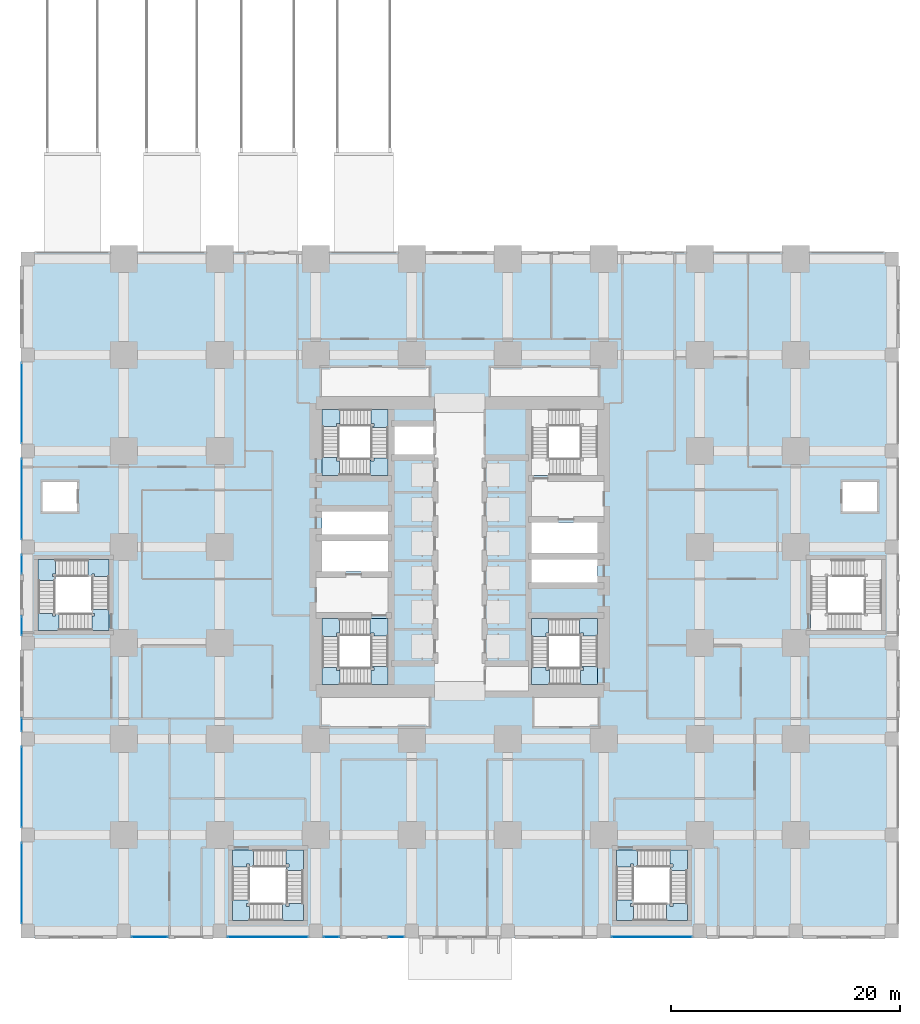
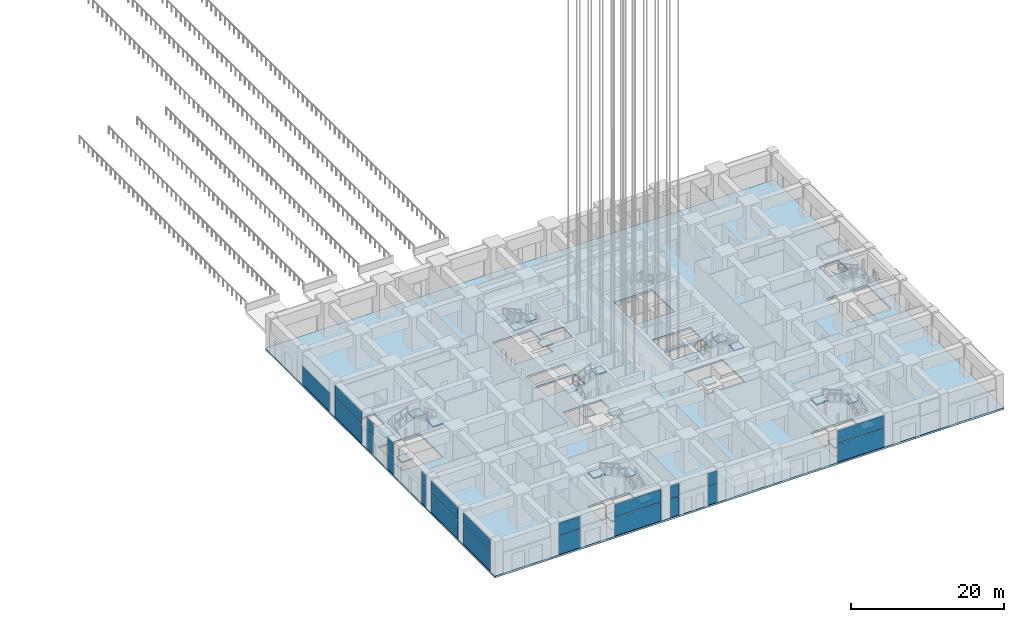
# One storey, part 34 of 81: 25 slabs, 23 plates, 18 elements without a shape of their own.
"""IFC4 building model written with IfcOpenShell, lengths in metres."""

from ifc_helpers import new_model, si_unit, direction, frame, origin, origin_2d, place, context, subcontext, project, spatial, polyline, rectangle, outline, extrude, material, layer, layer_set, type_object, element, aggregate, save


model = new_model("IFC4")

# Units and contexts
model_context = context("Model", 3, precision=1e-05, world=origin(), true_north=direction((0.0, 1.0)))
body_context = subcontext(model_context, "Body", "Model", "MODEL_VIEW")
ifc_project = project(units=[si_unit("LENGTHUNIT", "METRE"), si_unit("AREAUNIT", "SQUARE_METRE"), si_unit("VOLUMEUNIT", "CUBIC_METRE"), si_unit("PLANEANGLEUNIT", "RADIAN"), si_unit("MASSUNIT", "GRAM", prefix="KILO")], contexts=[model_context])

# Site, building, storey
site_placement = place(None, origin())
site = spatial("IfcSite", under=ifc_project, at=site_placement, CompositionType="ELEMENT")
building_placement = place(site_placement, origin())
building = spatial("IfcBuilding", under=site, at=building_placement, Name="Rekha Terrace Tower", CompositionType="ELEMENT")
storey_placement = place(building_placement, origin())
storey = spatial("IfcBuildingStorey", under=building, at=storey_placement, Name="L00", CompositionType="ELEMENT", Elevation=0.0)

# Curtain wall, plates
ifc_material_1 = material(Name="Aluminium framing", Category="aluminium")
curtain_wall_type = type_object("IfcCurtainWallType", Name="CW4 podium shopfront glazing", PredefinedType="USERDEFINED", material=ifc_material_1)
curtain_wall_1_placement = place(storey_placement, origin())
curtain_wall_1 = element("IfcCurtainWall", 1, at=curtain_wall_1_placement, inside=storey, type_object=curtain_wall_type, Name="CW4 shopfront curtain wall", ObjectType="SHOPFRONT CURTAIN WALL", PredefinedType="USERDEFINED")
ifc_material_2 = material(Name="Laminated double-glazed unit 30", Category="glass")
ifc_layer_1 = layer(ifc_material_2, 0.030029296875)
ifc_layer_set_1 = layer_set([ifc_layer_1], Name="Laminated double-glazed unit 30")
plate_type = type_object("IfcPlateType", Name="CW4 jumbo vision panel, laminated double-glazed unit 30", PredefinedType="CURTAIN_PANEL", material=ifc_layer_set_1)
plate_1_placement = place(storey_placement, frame((10.659912109375, -0.5400390625, 0.0), z_axis=(0.0, 0.0, 1.0), x_axis=(1.0, 0.0, 0.0)))
plate_1 = element("IfcPlate", 2, at=plate_1_placement, type_object=plate_type, Name="CW4 panel 1.1", PredefinedType="CURTAIN_PANEL", context=body_context, shape_type="SweptSolid", body=[
    extrude(rectangle(XDim=3.1298828125, YDim=0.030029296875, at=origin_2d()), origin(), (0.0, 0.0, 1.0), 2.96240234375),
])
plate_2_placement = place(storey_placement, frame((10.659912109375, -0.5400390625, 3.03759765625), z_axis=(0.0, 0.0, 1.0), x_axis=(1.0, 0.0, 0.0)))
plate_2 = element("IfcPlate", 3, at=plate_2_placement, type_object=plate_type, Name="CW4 panel 1.2", PredefinedType="CURTAIN_PANEL", context=body_context, shape_type="SweptSolid", body=[
    extrude(rectangle(XDim=3.1298828125, YDim=0.030029296875, at=origin_2d()), origin(), (0.0, 0.0, 1.0), 1.987548828125),
])
aggregate(curtain_wall_1, [plate_1, plate_2])

curtain_wall_2_placement = place(storey_placement, origin())
curtain_wall_2 = element("IfcCurtainWall", 4, at=curtain_wall_2_placement, inside=storey, type_object=curtain_wall_type, Name="CW4 shopfront curtain wall", ObjectType="SHOPFRONT CURTAIN WALL", PredefinedType="USERDEFINED")
plate_3_placement = place(storey_placement, frame((21.0, -0.5400390625, 0.0), z_axis=(0.0, 0.0, 1.0), x_axis=(1.0, 0.0, 0.0)))
plate_3 = element("IfcPlate", 5, at=plate_3_placement, type_object=plate_type, Name="CW4 panel 1.1", PredefinedType="CURTAIN_PANEL", context=body_context, shape_type="SweptSolid", body=[
    extrude(rectangle(XDim=7.010009765625, YDim=0.030029296875, at=origin_2d()), origin(), (0.0, 0.0, 1.0), 2.96240234375),
])
plate_4_placement = place(storey_placement, frame((21.0, -0.5400390625, 3.03759765625), z_axis=(0.0, 0.0, 1.0), x_axis=(1.0, 0.0, 0.0)))
plate_4 = element("IfcPlate", 6, at=plate_4_placement, type_object=plate_type, Name="CW4 panel 1.2", PredefinedType="CURTAIN_PANEL", context=body_context, shape_type="SweptSolid", body=[
    extrude(rectangle(XDim=7.010009765625, YDim=0.030029296875, at=origin_2d()), origin(), (0.0, 0.0, 1.0), 1.987548828125),
])
aggregate(curtain_wall_2, [plate_3, plate_4])

curtain_wall_3_placement = place(storey_placement, origin())
curtain_wall_3 = element("IfcCurtainWall", 7, at=curtain_wall_3_placement, inside=storey, type_object=curtain_wall_type, Name="CW4 shopfront curtain wall", ObjectType="SHOPFRONT CURTAIN WALL", PredefinedType="USERDEFINED")
plate_5_placement = place(storey_placement, frame((26.56005859375, -0.5400390625, 0.0), z_axis=(0.0, 0.0, 1.0), x_axis=(1.0, 0.0, 0.0)))
plate_5 = element("IfcPlate", 8, at=plate_5_placement, type_object=plate_type, Name="CW4 panel 1.1", PredefinedType="CURTAIN_PANEL", context=body_context, shape_type="SweptSolid", body=[
    extrude(rectangle(XDim=1.330078125, YDim=0.030029296875, at=origin_2d()), origin(), (0.0, 0.0, 1.0), 2.96240234375),
])
plate_6_placement = place(storey_placement, frame((26.56005859375, -0.5400390625, 3.03759765625), z_axis=(0.0, 0.0, 1.0), x_axis=(1.0, 0.0, 0.0)))
plate_6 = element("IfcPlate", 9, at=plate_6_placement, type_object=plate_type, Name="CW4 panel 1.2", PredefinedType="CURTAIN_PANEL", context=body_context, shape_type="SweptSolid", body=[
    extrude(rectangle(XDim=1.330078125, YDim=0.030029296875, at=origin_2d()), origin(), (0.0, 0.0, 1.0), 1.987548828125),
])
aggregate(curtain_wall_3, [plate_5, plate_6])

curtain_wall_4_placement = place(storey_placement, origin())
curtain_wall_4 = element("IfcCurtainWall", 10, at=curtain_wall_4_placement, inside=storey, type_object=curtain_wall_type, Name="CW4 shopfront curtain wall", ObjectType="SHOPFRONT CURTAIN WALL", PredefinedType="USERDEFINED")
plate_7_placement = place(storey_placement, frame((32.239990234375, -0.5400390625, 0.0), z_axis=(0.0, 0.0, 1.0), x_axis=(1.0, 0.0, 0.0)))
plate_7 = element("IfcPlate", 11, at=plate_7_placement, type_object=plate_type, Name="CW4 panel 1.1", PredefinedType="CURTAIN_PANEL", context=body_context, shape_type="SweptSolid", body=[
    extrude(rectangle(XDim=1.330078125, YDim=0.030029296875, at=origin_2d()), origin(), (0.0, 0.0, 1.0), 2.96240234375),
])
plate_8_placement = place(storey_placement, frame((32.239990234375, -0.5400390625, 3.03759765625), z_axis=(0.0, 0.0, 1.0), x_axis=(1.0, 0.0, 0.0)))
plate_8 = element("IfcPlate", 12, at=plate_8_placement, type_object=plate_type, Name="CW4 panel 1.2", PredefinedType="CURTAIN_PANEL", context=body_context, shape_type="SweptSolid", body=[
    extrude(rectangle(XDim=1.330078125, YDim=0.030029296875, at=origin_2d()), origin(), (0.0, 0.0, 1.0), 1.987548828125),
])
aggregate(curtain_wall_4, [plate_7, plate_8])

curtain_wall_5_placement = place(storey_placement, origin())
curtain_wall_5 = element("IfcCurtainWall", 13, at=curtain_wall_5_placement, inside=storey, type_object=curtain_wall_type, Name="CW4 shopfront curtain wall", ObjectType="SHOPFRONT CURTAIN WALL", PredefinedType="USERDEFINED")
plate_9_placement = place(storey_placement, frame((54.60009765625, -0.5400390625, 0.0), z_axis=(0.0, 0.0, 1.0), x_axis=(1.0, 0.0, 0.0)))
plate_9 = element("IfcPlate", 14, at=plate_9_placement, type_object=plate_type, Name="CW4 panel 1.1", PredefinedType="CURTAIN_PANEL", context=body_context, shape_type="SweptSolid", body=[
    extrude(rectangle(XDim=7.010009765625, YDim=0.030029296875, at=origin_2d()), origin(), (0.0, 0.0, 1.0), 2.96240234375),
])
plate_10_placement = place(storey_placement, frame((54.60009765625, -0.5400390625, 3.03759765625), z_axis=(0.0, 0.0, 1.0), x_axis=(1.0, 0.0, 0.0)))
plate_10 = element("IfcPlate", 15, at=plate_10_placement, type_object=plate_type, Name="CW4 panel 1.2", PredefinedType="CURTAIN_PANEL", context=body_context, shape_type="SweptSolid", body=[
    extrude(rectangle(XDim=7.010009765625, YDim=0.030029296875, at=origin_2d()), origin(), (0.0, 0.0, 1.0), 1.987548828125),
])
aggregate(curtain_wall_5, [plate_9, plate_10])

# Curtain wall, plate
curtain_wall_6_placement = place(storey_placement, origin())
curtain_wall_6 = element("IfcCurtainWall", 16, at=curtain_wall_6_placement, inside=storey, type_object=curtain_wall_type, Name="CW4 shopfront curtain wall", ObjectType="SHOPFRONT CURTAIN WALL", PredefinedType="USERDEFINED")
plate_11_placement = place(storey_placement, frame((-0.5400390625, 46.199951171875, 0.0), z_axis=(0.0, 0.0, 1.0), x_axis=(0.0, -1.0, 0.0)))
plate_11 = element("IfcPlate", 17, at=plate_11_placement, type_object=plate_type, Name="CW4 panel 1.1", PredefinedType="CURTAIN_PANEL", context=body_context, shape_type="SweptSolid", body=[
    extrude(rectangle(XDim=7.010009765625, YDim=0.030029296875, at=origin_2d()), origin(), (0.0, 0.0, 1.0), 2.96240234375),
])
aggregate(curtain_wall_6, [plate_11])

# Curtain wall, plates
curtain_wall_7_placement = place(storey_placement, origin())
curtain_wall_7 = element("IfcCurtainWall", 18, at=curtain_wall_7_placement, inside=storey, type_object=curtain_wall_type, Name="CW4 shopfront curtain wall", ObjectType="SHOPFRONT CURTAIN WALL", PredefinedType="USERDEFINED")
plate_12_placement = place(storey_placement, frame((-0.5400390625, 37.800048828125, 0.0), z_axis=(0.0, 0.0, 1.0), x_axis=(0.0, -1.0, 0.0)))
plate_12 = element("IfcPlate", 19, at=plate_12_placement, type_object=plate_type, Name="CW4 panel 1.1", PredefinedType="CURTAIN_PANEL", context=body_context, shape_type="SweptSolid", body=[
    extrude(rectangle(XDim=7.010009765625, YDim=0.030029296875, at=origin_2d()), origin(), (0.0, 0.0, 1.0), 2.96240234375),
])
plate_13_placement = place(storey_placement, frame((-0.5400390625, 37.800048828125, 3.03759765625), z_axis=(0.0, 0.0, 1.0), x_axis=(0.0, -1.0, 0.0)))
plate_13 = element("IfcPlate", 20, at=plate_13_placement, type_object=plate_type, Name="CW4 panel 1.2", PredefinedType="CURTAIN_PANEL", context=body_context, shape_type="SweptSolid", body=[
    extrude(rectangle(XDim=7.010009765625, YDim=0.030029296875, at=origin_2d()), origin(), (0.0, 0.0, 1.0), 1.987548828125),
])
aggregate(curtain_wall_7, [plate_12, plate_13])

curtain_wall_8_placement = place(storey_placement, origin())
curtain_wall_8 = element("IfcCurtainWall", 21, at=curtain_wall_8_placement, inside=storey, type_object=curtain_wall_type, Name="CW4 shopfront curtain wall", ObjectType="SHOPFRONT CURTAIN WALL", PredefinedType="USERDEFINED")
plate_14_placement = place(storey_placement, frame((-0.5400390625, 32.090087890625, 0.0), z_axis=(0.0, 0.0, 1.0), x_axis=(0.0, -1.0, 0.0)))
plate_14 = element("IfcPlate", 22, at=plate_14_placement, type_object=plate_type, Name="CW4 panel 1.1", PredefinedType="CURTAIN_PANEL", context=body_context, shape_type="SweptSolid", body=[
    extrude(rectangle(XDim=1.6298828125, YDim=0.030029296875, at=origin_2d()), origin(), (0.0, 0.0, 1.0), 2.96240234375),
])
plate_15_placement = place(storey_placement, frame((-0.5400390625, 32.090087890625, 3.03759765625), z_axis=(0.0, 0.0, 1.0), x_axis=(0.0, -1.0, 0.0)))
plate_15 = element("IfcPlate", 23, at=plate_15_placement, type_object=plate_type, Name="CW4 panel 1.2", PredefinedType="CURTAIN_PANEL", context=body_context, shape_type="SweptSolid", body=[
    extrude(rectangle(XDim=1.6298828125, YDim=0.030029296875, at=origin_2d()), origin(), (0.0, 0.0, 1.0), 1.987548828125),
])
aggregate(curtain_wall_8, [plate_14, plate_15])

curtain_wall_9_placement = place(storey_placement, origin())
curtain_wall_9 = element("IfcCurtainWall", 24, at=curtain_wall_9_placement, inside=storey, type_object=curtain_wall_type, Name="CW4 shopfront curtain wall", ObjectType="SHOPFRONT CURTAIN WALL", PredefinedType="USERDEFINED")
plate_16_placement = place(storey_placement, frame((-0.5400390625, 26.7099609375, 0.0), z_axis=(0.0, 0.0, 1.0), x_axis=(0.0, -1.0, 0.0)))
plate_16 = element("IfcPlate", 25, at=plate_16_placement, type_object=plate_type, Name="CW4 panel 1.1", PredefinedType="CURTAIN_PANEL", context=body_context, shape_type="SweptSolid", body=[
    extrude(rectangle(XDim=1.6298828125, YDim=0.030029296875, at=origin_2d()), origin(), (0.0, 0.0, 1.0), 2.96240234375),
])
plate_17_placement = place(storey_placement, frame((-0.5400390625, 26.7099609375, 3.03759765625), z_axis=(0.0, 0.0, 1.0), x_axis=(0.0, -1.0, 0.0)))
plate_17 = element("IfcPlate", 26, at=plate_17_placement, type_object=plate_type, Name="CW4 panel 1.2", PredefinedType="CURTAIN_PANEL", context=body_context, shape_type="SweptSolid", body=[
    extrude(rectangle(XDim=1.6298828125, YDim=0.030029296875, at=origin_2d()), origin(), (0.0, 0.0, 1.0), 1.987548828125),
])
aggregate(curtain_wall_9, [plate_16, plate_17])

curtain_wall_10_placement = place(storey_placement, origin())
curtain_wall_10 = element("IfcCurtainWall", 27, at=curtain_wall_10_placement, inside=storey, type_object=curtain_wall_type, Name="CW4 shopfront curtain wall", ObjectType="SHOPFRONT CURTAIN WALL", PredefinedType="USERDEFINED")
plate_18_placement = place(storey_placement, frame((-0.5400390625, 18.06005859375, 0.0), z_axis=(0.0, 0.0, 1.0), x_axis=(0.0, -1.0, 0.0)))
plate_18 = element("IfcPlate", 28, at=plate_18_placement, type_object=plate_type, Name="CW4 panel 1.1", PredefinedType="CURTAIN_PANEL", context=body_context, shape_type="SweptSolid", body=[
    extrude(rectangle(XDim=1.1298828125, YDim=0.030029296875, at=origin_2d()), origin(), (0.0, 0.0, 1.0), 2.96240234375),
])
plate_19_placement = place(storey_placement, frame((-0.5400390625, 18.06005859375, 3.03759765625), z_axis=(0.0, 0.0, 1.0), x_axis=(0.0, -1.0, 0.0)))
plate_19 = element("IfcPlate", 29, at=plate_19_placement, type_object=plate_type, Name="CW4 panel 1.2", PredefinedType="CURTAIN_PANEL", context=body_context, shape_type="SweptSolid", body=[
    extrude(rectangle(XDim=1.1298828125, YDim=0.030029296875, at=origin_2d()), origin(), (0.0, 0.0, 1.0), 1.987548828125),
])
aggregate(curtain_wall_10, [plate_18, plate_19])

curtain_wall_11_placement = place(storey_placement, origin())
curtain_wall_11 = element("IfcCurtainWall", 30, at=curtain_wall_11_placement, inside=storey, type_object=curtain_wall_type, Name="CW4 shopfront curtain wall", ObjectType="SHOPFRONT CURTAIN WALL", PredefinedType="USERDEFINED")
plate_20_placement = place(storey_placement, frame((-0.5400390625, 12.60009765625, 0.0), z_axis=(0.0, 0.0, 1.0), x_axis=(0.0, -1.0, 0.0)))
plate_20 = element("IfcPlate", 31, at=plate_20_placement, type_object=plate_type, Name="CW4 panel 1.1", PredefinedType="CURTAIN_PANEL", context=body_context, shape_type="SweptSolid", body=[
    extrude(rectangle(XDim=7.010009765625, YDim=0.030029296875, at=origin_2d()), origin(), (0.0, 0.0, 1.0), 2.96240234375),
])
plate_21_placement = place(storey_placement, frame((-0.5400390625, 12.60009765625, 3.03759765625), z_axis=(0.0, 0.0, 1.0), x_axis=(0.0, -1.0, 0.0)))
plate_21 = element("IfcPlate", 32, at=plate_21_placement, type_object=plate_type, Name="CW4 panel 1.2", PredefinedType="CURTAIN_PANEL", context=body_context, shape_type="SweptSolid", body=[
    extrude(rectangle(XDim=7.010009765625, YDim=0.030029296875, at=origin_2d()), origin(), (0.0, 0.0, 1.0), 1.987548828125),
])
aggregate(curtain_wall_11, [plate_20, plate_21])

curtain_wall_12_placement = place(storey_placement, origin())
curtain_wall_12 = element("IfcCurtainWall", 33, at=curtain_wall_12_placement, inside=storey, type_object=curtain_wall_type, Name="CW4 shopfront curtain wall", ObjectType="SHOPFRONT CURTAIN WALL", PredefinedType="USERDEFINED")
plate_22_placement = place(storey_placement, frame((-0.5400390625, 4.199951171875, 0.0), z_axis=(0.0, 0.0, 1.0), x_axis=(0.0, -1.0, 0.0)))
plate_22 = element("IfcPlate", 34, at=plate_22_placement, type_object=plate_type, Name="CW4 panel 1.1", PredefinedType="CURTAIN_PANEL", context=body_context, shape_type="SweptSolid", body=[
    extrude(rectangle(XDim=7.010009765625, YDim=0.030029296875, at=origin_2d()), origin(), (0.0, 0.0, 1.0), 2.96240234375),
])
plate_23_placement = place(storey_placement, frame((-0.5400390625, 4.199951171875, 3.03759765625), z_axis=(0.0, 0.0, 1.0), x_axis=(0.0, -1.0, 0.0)))
plate_23 = element("IfcPlate", 35, at=plate_23_placement, type_object=plate_type, Name="CW4 panel 1.2", PredefinedType="CURTAIN_PANEL", context=body_context, shape_type="SweptSolid", body=[
    extrude(rectangle(XDim=7.010009765625, YDim=0.030029296875, at=origin_2d()), origin(), (0.0, 0.0, 1.0), 1.987548828125),
])
aggregate(curtain_wall_12, [plate_22, plate_23])

# Stair, slabs
ifc_material_3 = material(Name="Concrete M40", Category="concrete")
stair_type_1 = type_object("IfcStairType", Name="ST40 stair, 40 risers of 135, going 320, 1500 wide flights, 4 flights", PredefinedType="QUARTER_TURN_STAIR", material=ifc_material_3)
stair_1_placement = place(storey_placement, origin())
stair_1 = element("IfcStair", 36, at=stair_1_placement, inside=storey, type_object=stair_type_1, Name="Stair SP1 L00 to L01", PredefinedType="QUARTER_TURN_STAIR")
ifc_layer_2 = layer(ifc_material_3, 0.199951171875)
ifc_layer_set_2 = layer_set([ifc_layer_2], Name="Concrete M40")
slab_type_1 = type_object("IfcSlabType", Name="LD1 200 concrete stair landing", PredefinedType="LANDING", material=ifc_layer_set_2)
slab_1_placement = place(storey_placement, frame((0.0, 0.0, 1.14990234375)))
slab_1 = element("IfcSlab", 37, at=slab_1_placement, type_object=slab_type_1, Name="SP1 landing 1", PredefinedType="LANDING", context=body_context, shape_type="SweptSolid", body=[
    extrude(outline(polyline([(0.89990234375, 27.800048828125), (0.89990234375, 26.300048828125), (2.719970703125, 26.300048828125), (2.719970703125, 27.800048828125), (2.39990234375, 27.800048828125), (2.39990234375, 27.550048828125), (2.14990234375, 27.550048828125), (2.14990234375, 27.800048828125), (0.89990234375, 27.800048828125)])), origin(), (0.0, 0.0, 1.0), 0.2001953125),
])
slab_2_placement = place(storey_placement, frame((0.0, 0.0, 2.5)))
slab_2 = element("IfcSlab", 38, at=slab_2_placement, type_object=slab_type_1, Name="SP1 landing 2", PredefinedType="LANDING", context=body_context, shape_type="SweptSolid", body=[
    extrude(outline(polyline([(2.39990234375, 32.5), (0.89990234375, 32.5), (0.89990234375, 30.679931640625), (2.39990234375, 30.679931640625), (2.39990234375, 31.0), (2.14990234375, 31.0), (2.14990234375, 31.25), (2.39990234375, 31.25), (2.39990234375, 32.5)])), origin(), (0.0, 0.0, 1.0), 0.199951171875),
])
slab_3_placement = place(storey_placement, frame((0.0, 0.0, 3.85009765625)))
slab_3 = element("IfcSlab", 39, at=slab_3_placement, type_object=slab_type_1, Name="SP1 landing 3", PredefinedType="LANDING", context=body_context, shape_type="SweptSolid", body=[
    extrude(outline(polyline([(7.10009765625, 31.0), (7.10009765625, 32.5), (5.280029296875, 32.5), (5.280029296875, 31.0), (5.60009765625, 31.0), (5.60009765625, 31.25), (5.85009765625, 31.25), (5.85009765625, 31.0), (7.10009765625, 31.0)])), origin(), (0.0, 0.0, 1.0), 0.199951171875),
])
slab_4_placement = place(storey_placement, frame((0.0, 0.0, 5.199951171875)))
slab_4 = element("IfcSlab", 40, at=slab_4_placement, type_object=slab_type_1, Name="SP1 landing 4", PredefinedType="LANDING", context=body_context, shape_type="SweptSolid", body=[
    extrude(outline(polyline([(5.60009765625, 26.300048828125), (7.10009765625, 26.300048828125), (7.10009765625, 28.1201171875), (5.60009765625, 28.1201171875), (5.60009765625, 27.800048828125), (5.85009765625, 27.800048828125), (5.85009765625, 27.550048828125), (5.60009765625, 27.550048828125), (5.60009765625, 26.300048828125)])), origin(), (0.0, 0.0, 1.0), 0.199951171875),
])
aggregate(stair_1, [slab_1, slab_2, slab_3, slab_4])

stair_2_placement = place(storey_placement, origin())
stair_2 = element("IfcStair", 41, at=stair_2_placement, inside=storey, type_object=stair_type_1, Name="Stair SP3 L00 to L01", PredefinedType="QUARTER_TURN_STAIR")
slab_5_placement = place(storey_placement, frame((0.0, 0.0, 1.14990234375)))
slab_5 = element("IfcSlab", 42, at=slab_5_placement, type_object=slab_type_1, Name="SP3 landing 1", PredefinedType="LANDING", context=body_context, shape_type="SweptSolid", body=[
    extrude(outline(polyline([(19.39990234375, 0.89990234375), (17.89990234375, 0.89990234375), (17.89990234375, 2.719970703125), (19.39990234375, 2.719970703125), (19.39990234375, 2.39990234375), (19.14990234375, 2.39990234375), (19.14990234375, 2.14990234375), (19.39990234375, 2.14990234375), (19.39990234375, 0.89990234375)])), origin(), (0.0, 0.0, 1.0), 0.2001953125),
])
slab_6_placement = place(storey_placement, frame((0.0, 0.0, 2.5)))
slab_6 = element("IfcSlab", 43, at=slab_6_placement, type_object=slab_type_1, Name="SP3 landing 2", PredefinedType="LANDING", context=body_context, shape_type="SweptSolid", body=[
    extrude(outline(polyline([(24.10009765625, 2.39990234375), (24.10009765625, 0.89990234375), (22.280029296875, 0.89990234375), (22.280029296875, 2.39990234375), (22.60009765625, 2.39990234375), (22.60009765625, 2.14990234375), (22.85009765625, 2.14990234375), (22.85009765625, 2.39990234375), (24.10009765625, 2.39990234375)])), origin(), (0.0, 0.0, 1.0), 0.199951171875),
])
slab_7_placement = place(storey_placement, frame((0.0, 0.0, 3.85009765625)))
slab_7 = element("IfcSlab", 44, at=slab_7_placement, type_object=slab_type_1, Name="SP3 landing 3", PredefinedType="LANDING", context=body_context, shape_type="SweptSolid", body=[
    extrude(outline(polyline([(22.60009765625, 7.10009765625), (24.10009765625, 7.10009765625), (24.10009765625, 5.280029296875), (22.60009765625, 5.280029296875), (22.60009765625, 5.60009765625), (22.85009765625, 5.60009765625), (22.85009765625, 5.85009765625), (22.60009765625, 5.85009765625), (22.60009765625, 7.10009765625)])), origin(), (0.0, 0.0, 1.0), 0.199951171875),
])
slab_8_placement = place(storey_placement, frame((0.0, 0.0, 5.199951171875)))
slab_8 = element("IfcSlab", 45, at=slab_8_placement, type_object=slab_type_1, Name="SP3 landing 4", PredefinedType="LANDING", context=body_context, shape_type="SweptSolid", body=[
    extrude(outline(polyline([(17.89990234375, 5.60009765625), (17.89990234375, 7.10009765625), (19.719970703125, 7.10009765625), (19.719970703125, 5.60009765625), (19.39990234375, 5.60009765625), (19.39990234375, 5.85009765625), (19.14990234375, 5.85009765625), (19.14990234375, 5.60009765625), (17.89990234375, 5.60009765625)])), origin(), (0.0, 0.0, 1.0), 0.199951171875),
])
aggregate(stair_2, [slab_5, slab_6, slab_7, slab_8])

stair_3_placement = place(storey_placement, origin())
stair_3 = element("IfcStair", 46, at=stair_3_placement, inside=storey, type_object=stair_type_1, Name="Stair SP4 L00 to L01", PredefinedType="QUARTER_TURN_STAIR")
slab_9_placement = place(storey_placement, frame((0.0, 0.0, 1.14990234375)))
slab_9 = element("IfcSlab", 47, at=slab_9_placement, type_object=slab_type_1, Name="SP4 landing 1", PredefinedType="LANDING", context=body_context, shape_type="SweptSolid", body=[
    extrude(outline(polyline([(53.0, 0.89990234375), (51.5, 0.89990234375), (51.5, 2.719970703125), (53.0, 2.719970703125), (53.0, 2.39990234375), (52.75, 2.39990234375), (52.75, 2.14990234375), (53.0, 2.14990234375), (53.0, 0.89990234375)])), origin(), (0.0, 0.0, 1.0), 0.2001953125),
])
slab_10_placement = place(storey_placement, frame((0.0, 0.0, 2.5)))
slab_10 = element("IfcSlab", 48, at=slab_10_placement, type_object=slab_type_1, Name="SP4 landing 2", PredefinedType="LANDING", context=body_context, shape_type="SweptSolid", body=[
    extrude(outline(polyline([(57.699951171875, 2.39990234375), (57.699951171875, 0.89990234375), (55.8798828125, 0.89990234375), (55.8798828125, 2.39990234375), (56.199951171875, 2.39990234375), (56.199951171875, 2.14990234375), (56.449951171875, 2.14990234375), (56.449951171875, 2.39990234375), (57.699951171875, 2.39990234375)])), origin(), (0.0, 0.0, 1.0), 0.199951171875),
])
slab_11_placement = place(storey_placement, frame((0.0, 0.0, 3.85009765625)))
slab_11 = element("IfcSlab", 49, at=slab_11_placement, type_object=slab_type_1, Name="SP4 landing 3", PredefinedType="LANDING", context=body_context, shape_type="SweptSolid", body=[
    extrude(outline(polyline([(56.199951171875, 7.10009765625), (57.699951171875, 7.10009765625), (57.699951171875, 5.280029296875), (56.199951171875, 5.280029296875), (56.199951171875, 5.60009765625), (56.449951171875, 5.60009765625), (56.449951171875, 5.85009765625), (56.199951171875, 5.85009765625), (56.199951171875, 7.10009765625)])), origin(), (0.0, 0.0, 1.0), 0.199951171875),
])
slab_12_placement = place(storey_placement, frame((0.0, 0.0, 5.199951171875)))
slab_12 = element("IfcSlab", 50, at=slab_12_placement, type_object=slab_type_1, Name="SP4 landing 4", PredefinedType="LANDING", context=body_context, shape_type="SweptSolid", body=[
    extrude(outline(polyline([(51.5, 5.60009765625), (51.5, 7.10009765625), (53.320068359375, 7.10009765625), (53.320068359375, 5.60009765625), (53.0, 5.60009765625), (53.0, 5.85009765625), (52.75, 5.85009765625), (52.75, 5.60009765625), (51.5, 5.60009765625)])), origin(), (0.0, 0.0, 1.0), 0.199951171875),
])
aggregate(stair_3, [slab_9, slab_10, slab_11, slab_12])

stair_type_2 = type_object("IfcStairType", Name="ST40 stair, 40 risers of 135, going 300, 1500 wide flights, 4 flights", PredefinedType="QUARTER_TURN_STAIR", material=ifc_material_3)
stair_4_placement = place(storey_placement, origin())
stair_4 = element("IfcStair", 51, at=stair_4_placement, inside=storey, type_object=stair_type_2, Name="Stair ST1 L00 to L01", PredefinedType="QUARTER_TURN_STAIR")
slab_13_placement = place(storey_placement, frame((0.0, 0.0, 1.14990234375)))
slab_13 = element("IfcSlab", 52, at=slab_13_placement, type_object=slab_type_1, Name="ST1 landing 1", PredefinedType="LANDING", context=body_context, shape_type="SweptSolid", body=[
    extrude(outline(polyline([(30.02490234375, 21.550048828125), (31.52490234375, 21.550048828125), (31.52490234375, 23.125), (30.02490234375, 23.125), (30.02490234375, 23.050048828125), (30.27490234375, 23.050048828125), (30.27490234375, 22.800048828125), (30.02490234375, 22.800048828125), (30.02490234375, 21.550048828125)])), origin(), (0.0, 0.0, 1.0), 0.2001953125),
])
slab_14_placement = place(storey_placement, frame((0.0, 0.0, 2.5)))
slab_14 = element("IfcSlab", 53, at=slab_14_placement, type_object=slab_type_1, Name="ST1 landing 2", PredefinedType="LANDING", context=body_context, shape_type="SweptSolid", body=[
    extrude(outline(polyline([(25.75, 23.050048828125), (25.75, 21.550048828125), (27.324951171875, 21.550048828125), (27.324951171875, 23.050048828125), (27.25, 23.050048828125), (27.25, 22.800048828125), (27.0, 22.800048828125), (27.0, 23.050048828125), (25.75, 23.050048828125)])), origin(), (0.0, 0.0, 1.0), 0.199951171875),
])
slab_15_placement = place(storey_placement, frame((0.0, 0.0, 3.85009765625)))
slab_15 = element("IfcSlab", 54, at=slab_15_placement, type_object=slab_type_1, Name="ST1 landing 3", PredefinedType="LANDING", context=body_context, shape_type="SweptSolid", body=[
    extrude(outline(polyline([(27.25, 27.324951171875), (25.75, 27.324951171875), (25.75, 25.75), (27.25, 25.75), (27.25, 25.824951171875), (27.0, 25.824951171875), (27.0, 26.074951171875), (27.25, 26.074951171875), (27.25, 27.324951171875)])), origin(), (0.0, 0.0, 1.0), 0.199951171875),
])
slab_16_placement = place(storey_placement, frame((0.0, 0.0, 5.199951171875)))
slab_16 = element("IfcSlab", 55, at=slab_16_placement, type_object=slab_type_1, Name="ST1 landing 4", PredefinedType="LANDING", context=body_context, shape_type="SweptSolid", body=[
    extrude(outline(polyline([(31.52490234375, 25.824951171875), (31.52490234375, 27.324951171875), (29.949951171875, 27.324951171875), (29.949951171875, 25.824951171875), (30.02490234375, 25.824951171875), (30.02490234375, 26.074951171875), (30.27490234375, 26.074951171875), (30.27490234375, 25.824951171875), (31.52490234375, 25.824951171875)])), origin(), (0.0, 0.0, 1.0), 0.199951171875),
])
aggregate(stair_4, [slab_13, slab_14, slab_15, slab_16])

stair_5_placement = place(storey_placement, origin())
stair_5 = element("IfcStair", 56, at=stair_5_placement, inside=storey, type_object=stair_type_2, Name="Stair ST3 L00 to L01", PredefinedType="QUARTER_TURN_STAIR")
slab_17_placement = place(storey_placement, frame((0.0, 0.0, 1.14990234375)))
slab_17 = element("IfcSlab", 57, at=slab_17_placement, type_object=slab_type_1, Name="ST3 landing 1", PredefinedType="LANDING", context=body_context, shape_type="SweptSolid", body=[
    extrude(outline(polyline([(44.074951171875, 23.050048828125), (44.074951171875, 21.550048828125), (45.64990234375, 21.550048828125), (45.64990234375, 23.050048828125), (45.574951171875, 23.050048828125), (45.574951171875, 22.800048828125), (45.324951171875, 22.800048828125), (45.324951171875, 23.050048828125), (44.074951171875, 23.050048828125)])), origin(), (0.0, 0.0, 1.0), 0.2001953125),
])
slab_18_placement = place(storey_placement, frame((0.0, 0.0, 2.5)))
slab_18 = element("IfcSlab", 58, at=slab_18_placement, type_object=slab_type_1, Name="ST3 landing 2", PredefinedType="LANDING", context=body_context, shape_type="SweptSolid", body=[
    extrude(outline(polyline([(45.574951171875, 27.324951171875), (44.074951171875, 27.324951171875), (44.074951171875, 25.75), (45.574951171875, 25.75), (45.574951171875, 25.824951171875), (45.324951171875, 25.824951171875), (45.324951171875, 26.074951171875), (45.574951171875, 26.074951171875), (45.574951171875, 27.324951171875)])), origin(), (0.0, 0.0, 1.0), 0.199951171875),
])
slab_19_placement = place(storey_placement, frame((0.0, 0.0, 3.85009765625)))
slab_19 = element("IfcSlab", 59, at=slab_19_placement, type_object=slab_type_1, Name="ST3 landing 3", PredefinedType="LANDING", context=body_context, shape_type="SweptSolid", body=[
    extrude(outline(polyline([(49.85009765625, 25.824951171875), (49.85009765625, 27.324951171875), (48.27490234375, 27.324951171875), (48.27490234375, 25.824951171875), (48.35009765625, 25.824951171875), (48.35009765625, 26.074951171875), (48.60009765625, 26.074951171875), (48.60009765625, 25.824951171875), (49.85009765625, 25.824951171875)])), origin(), (0.0, 0.0, 1.0), 0.199951171875),
])
slab_20_placement = place(storey_placement, frame((0.0, 0.0, 5.199951171875)))
slab_20 = element("IfcSlab", 60, at=slab_20_placement, type_object=slab_type_1, Name="ST3 landing 4", PredefinedType="LANDING", context=body_context, shape_type="SweptSolid", body=[
    extrude(outline(polyline([(48.35009765625, 21.550048828125), (49.85009765625, 21.550048828125), (49.85009765625, 23.125), (48.35009765625, 23.125), (48.35009765625, 23.050048828125), (48.60009765625, 23.050048828125), (48.60009765625, 22.800048828125), (48.35009765625, 22.800048828125), (48.35009765625, 21.550048828125)])), origin(), (0.0, 0.0, 1.0), 0.199951171875),
])
aggregate(stair_5, [slab_17, slab_18, slab_19, slab_20])

stair_6_placement = place(storey_placement, origin())
stair_6 = element("IfcStair", 61, at=stair_6_placement, inside=storey, type_object=stair_type_2, Name="Stair ST4 L00 to L01", PredefinedType="QUARTER_TURN_STAIR")
slab_21_placement = place(storey_placement, frame((0.0, 0.0, 1.14990234375)))
slab_21 = element("IfcSlab", 62, at=slab_21_placement, type_object=slab_type_1, Name="ST4 landing 1", PredefinedType="LANDING", context=body_context, shape_type="SweptSolid", body=[
    extrude(outline(polyline([(31.52490234375, 41.375), (31.52490234375, 39.875), (29.949951171875, 39.875), (29.949951171875, 41.375), (30.02490234375, 41.375), (30.02490234375, 41.125), (30.27490234375, 41.125), (30.27490234375, 41.375), (31.52490234375, 41.375)])), origin(), (0.0, 0.0, 1.0), 0.2001953125),
])
slab_22_placement = place(storey_placement, frame((0.0, 0.0, 2.5)))
slab_22 = element("IfcSlab", 63, at=slab_22_placement, type_object=slab_type_1, Name="ST4 landing 2", PredefinedType="LANDING", context=body_context, shape_type="SweptSolid", body=[
    extrude(outline(polyline([(30.02490234375, 45.64990234375), (31.52490234375, 45.64990234375), (31.52490234375, 44.074951171875), (30.02490234375, 44.074951171875), (30.02490234375, 44.14990234375), (30.27490234375, 44.14990234375), (30.27490234375, 44.39990234375), (30.02490234375, 44.39990234375), (30.02490234375, 45.64990234375)])), origin(), (0.0, 0.0, 1.0), 0.199951171875),
])
slab_23_placement = place(storey_placement, frame((0.0, 0.0, 3.85009765625)))
slab_23 = element("IfcSlab", 64, at=slab_23_placement, type_object=slab_type_1, Name="ST4 landing 3", PredefinedType="LANDING", context=body_context, shape_type="SweptSolid", body=[
    extrude(outline(polyline([(25.75, 44.14990234375), (25.75, 45.64990234375), (27.324951171875, 45.64990234375), (27.324951171875, 44.14990234375), (27.25, 44.14990234375), (27.25, 44.39990234375), (27.0, 44.39990234375), (27.0, 44.14990234375), (25.75, 44.14990234375)])), origin(), (0.0, 0.0, 1.0), 0.199951171875),
])
slab_24_placement = place(storey_placement, frame((0.0, 0.0, 5.199951171875)))
slab_24 = element("IfcSlab", 65, at=slab_24_placement, type_object=slab_type_1, Name="ST4 landing 4", PredefinedType="LANDING", context=body_context, shape_type="SweptSolid", body=[
    extrude(outline(polyline([(27.25, 39.875), (25.75, 39.875), (25.75, 41.449951171875), (27.25, 41.449951171875), (27.25, 41.375), (27.0, 41.375), (27.0, 41.125), (27.25, 41.125), (27.25, 39.875)])), origin(), (0.0, 0.0, 1.0), 0.199951171875),
])
aggregate(stair_6, [slab_21, slab_22, slab_23, slab_24])

# Slab
ifc_material_4 = material(Name="Concrete M50", Category="concrete")
ifc_layer_3 = layer(ifc_material_4, 0.300048828125)
ifc_layer_set_3 = layer_set([ifc_layer_3], Name="Concrete M50")
slab_type_2 = type_object("IfcSlabType", Name="SL2 300 podium floor slab", PredefinedType="FLOOR", material=ifc_layer_set_3)
slab_25_placement = place(storey_placement, frame((0.0, 0.0, -0.300048828125)))
element("IfcSlab", 66, at=slab_25_placement, inside=storey, type_object=slab_type_2, Name="Podium floor slab L00", PredefinedType="FLOOR", context=body_context, shape_type="SweptSolid", body=[
    extrude(outline(polyline([(-0.60009765625, 59.39990234375), (-0.60009765625, -0.60009765625), (76.199951171875, -0.60009765625), (76.199951171875, 59.39990234375), (-0.60009765625, 59.39990234375)]), holes=[polyline([(17.89990234375, 7.10009765625), (24.10009765625, 7.10009765625), (24.10009765625, 0.89990234375), (17.89990234375, 0.89990234375), (17.89990234375, 7.10009765625)]), polyline([(31.52490234375, 27.324951171875), (31.52490234375, 21.550048828125), (25.75, 21.550048828125), (25.75, 27.324951171875), (31.52490234375, 27.324951171875)]), polyline([(7.10009765625, 32.5), (7.10009765625, 26.300048828125), (0.89990234375, 26.300048828125), (0.89990234375, 32.5), (7.10009765625, 32.5)]), polyline([(31.52490234375, 34.125), (31.52490234375, 31.47509765625), (25.75, 31.47509765625), (25.75, 34.125), (31.52490234375, 34.125)]), polyline([(31.52490234375, 36.72509765625), (31.52490234375, 34.675048828125), (25.75, 34.675048828125), (25.75, 36.72509765625), (31.52490234375, 36.72509765625)]), polyline([(4.300048828125, 39.300048828125), (4.300048828125, 36.699951171875), (1.300048828125, 36.699951171875), (1.300048828125, 39.300048828125), (4.300048828125, 39.300048828125)]), polyline([(31.52490234375, 45.64990234375), (31.52490234375, 39.875), (25.75, 39.875), (25.75, 45.64990234375), (31.52490234375, 45.64990234375)]), polyline([(35.5, 44.125), (35.5, 41.675048828125), (32.074951171875, 41.675048828125), (32.074951171875, 44.125), (35.5, 44.125)]), polyline([(57.699951171875, 7.10009765625), (57.699951171875, 0.89990234375), (51.5, 0.89990234375), (51.5, 7.10009765625), (57.699951171875, 7.10009765625)]), polyline([(49.85009765625, 27.324951171875), (49.85009765625, 21.550048828125), (44.074951171875, 21.550048828125), (44.074951171875, 27.324951171875), (49.85009765625, 27.324951171875)]), polyline([(74.699951171875, 32.5), (74.699951171875, 26.300048828125), (68.5, 26.300048828125), (68.5, 32.5), (74.699951171875, 32.5)]), polyline([(49.85009765625, 32.52490234375), (49.85009765625, 30.47509765625), (44.074951171875, 30.47509765625), (44.074951171875, 32.52490234375), (49.85009765625, 32.52490234375)]), polyline([(49.85009765625, 35.72509765625), (49.85009765625, 33.074951171875), (44.074951171875, 33.074951171875), (44.074951171875, 35.72509765625), (49.85009765625, 35.72509765625)]), polyline([(74.300048828125, 39.300048828125), (74.300048828125, 36.699951171875), (71.300048828125, 36.699951171875), (71.300048828125, 39.300048828125), (74.300048828125, 39.300048828125)]), polyline([(49.85009765625, 45.64990234375), (49.85009765625, 39.875), (44.074951171875, 39.875), (44.074951171875, 45.64990234375), (49.85009765625, 45.64990234375)])]), origin(), (0.0, 0.0, 1.0), 0.300048828125),
])

save(model, "model.ifc")
